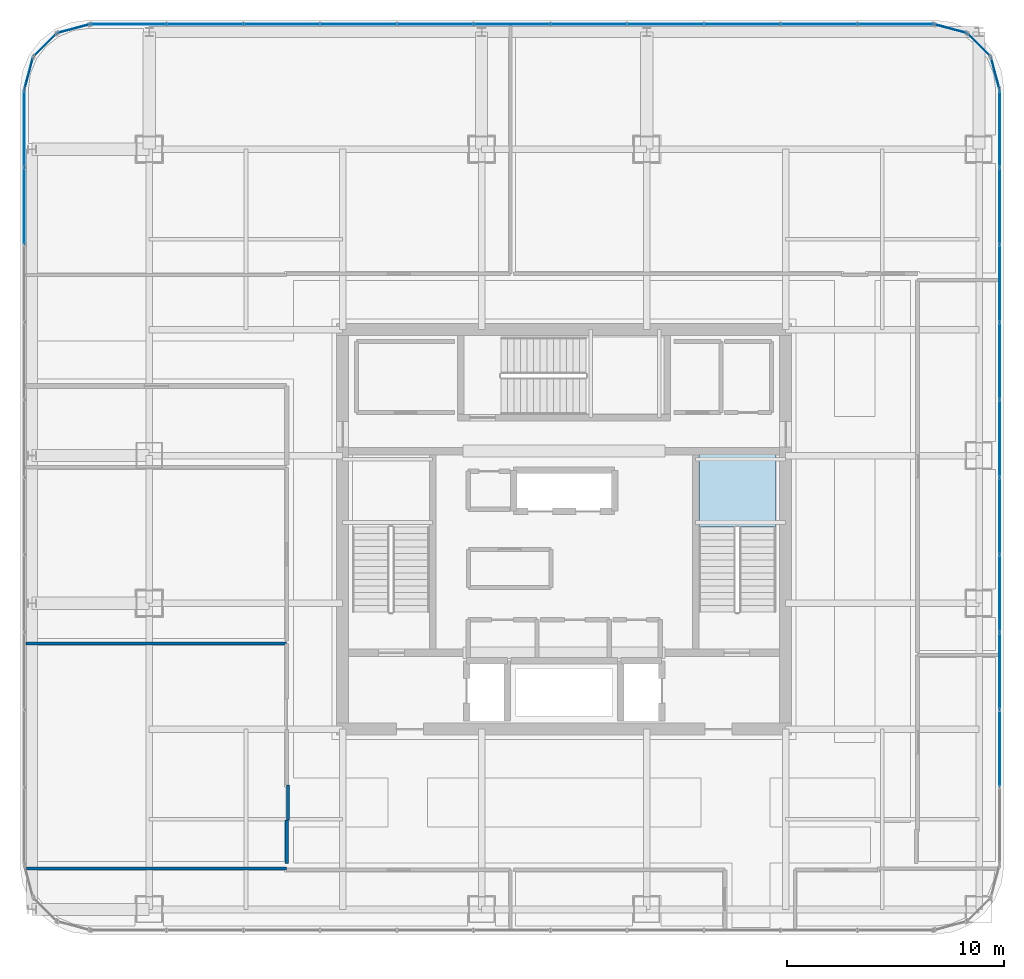
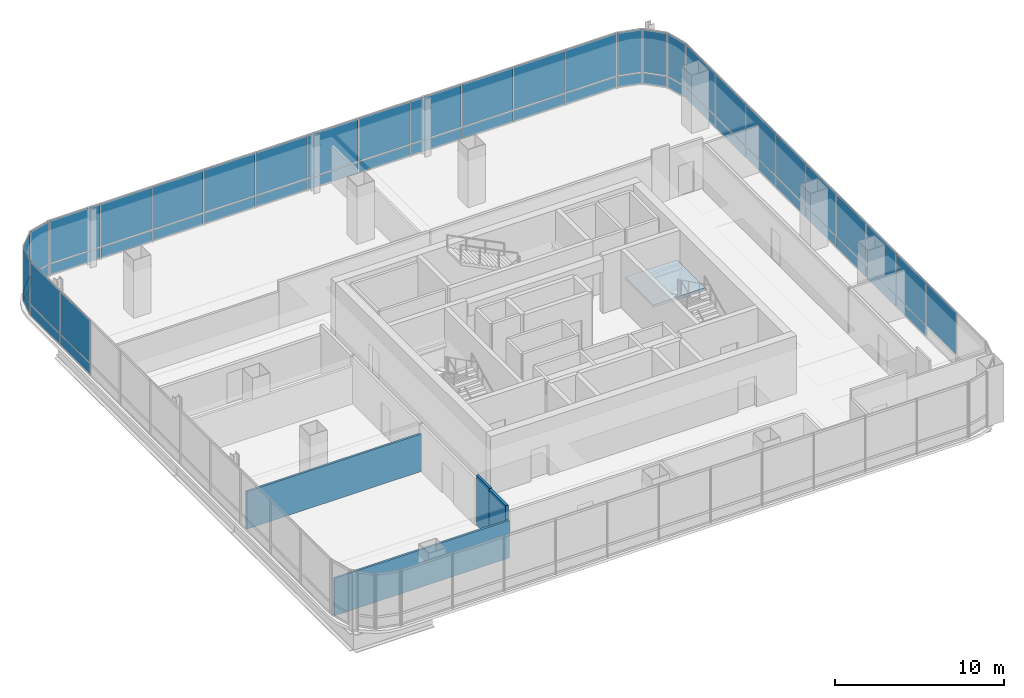
# One storey, part 33 of 41: 55 plates, 4 walls, 1 slab, 10 elements without a shape of their own.
"""IFC4 building model written with IfcOpenShell, lengths in metres."""

from ifc_helpers import new_model, si_unit, direction, frame, frame_2d, origin, origin_2d, place, context, subcontext, project, spatial, polyline, rectangle, outline, extrude, material, layer, layer_set, type_object, element, aggregate, save


model = new_model("IFC4")

# Units and contexts
model_context = context("Model", 3, precision=1e-05, world=origin(), true_north=direction((0.0, 1.0)))
body_context = subcontext(model_context, "Body", "Model", "MODEL_VIEW")
ifc_project = project(units=[si_unit("LENGTHUNIT", "METRE"), si_unit("AREAUNIT", "SQUARE_METRE"), si_unit("VOLUMEUNIT", "CUBIC_METRE"), si_unit("PLANEANGLEUNIT", "RADIAN"), si_unit("MASSUNIT", "GRAM", prefix="KILO")], contexts=[model_context])

# Site, building, storey
site_placement = place(None, origin())
site = spatial("IfcSite", under=ifc_project, at=site_placement, CompositionType="ELEMENT")
building_placement = place(site_placement, origin())
building = spatial("IfcBuilding", under=site, at=building_placement, Name="Punatoya Terracotta Tower", CompositionType="ELEMENT")
storey_placement = place(building_placement, frame((0.0, 0.0, 309.0)))
storey = spatial("IfcBuildingStorey", under=building, at=storey_placement, Name="L73", CompositionType="ELEMENT", Elevation=309.0)

# Curtain wall, plates
ifc_material_1 = material(Name="Aluminium 6063-T6 + Double Low-E Glass", Category="aluminium")
curtain_wall_type = type_object("IfcCurtainWallType", Name="CW-M3", PredefinedType="NOTDEFINED", material=ifc_material_1)
curtain_wall_1_placement = place(storey_placement, origin())
curtain_wall_1 = element("IfcCurtainWall", 1, at=curtain_wall_1_placement, inside=storey, type_object=curtain_wall_type, Name="L73 Curtain Wall CW-L73-E05-1", PredefinedType="NOTDEFINED")
ifc_material_2 = material(Name="Double Low-E Acoustic Vision Glass", Category="glass")
ifc_layer_1 = layer(ifc_material_2, 0.031982421875)
ifc_layer_set_1 = layer_set([ifc_layer_1], Name="Double Low-E Acoustic Vision Glass")
plate_type_1 = type_object("IfcPlateType", Name="PLT-GLZ-32", PredefinedType="CURTAIN_PANEL", material=ifc_layer_set_1)
plate_1_placement = place(storey_placement, frame((20.050048828125, -10.085693359375, 0.89013671875), z_axis=(0.0, 0.0, 1.0), x_axis=(0.0, 1.0, 0.0)))
plate_1 = element("IfcPlate", 2, at=plate_1_placement, type_object=plate_type_1, Name="CW-L73-E05-1 Vision Glass Panel 2", PredefinedType="CURTAIN_PANEL", context=body_context, shape_type="SweptSolid", body=[
    extrude(rectangle(XDim=3.482421875, YDim=0.031982421875, at=origin_2d()), origin(), (0.0, 0.0, 1.0), 3.070068359375),
])
plate_2_placement = place(storey_placement, frame((20.050048828125, -6.518310546875, 0.89013671875), z_axis=(0.0, 0.0, 1.0), x_axis=(0.0, 1.0, 0.0)))
plate_2 = element("IfcPlate", 3, at=plate_2_placement, type_object=plate_type_1, Name="CW-L73-E05-1 Vision Glass Panel 3", PredefinedType="CURTAIN_PANEL", context=body_context, shape_type="SweptSolid", body=[
    extrude(rectangle(XDim=3.482421875, YDim=0.031982421875, at=origin_2d()), origin(), (0.0, 0.0, 1.0), 3.070068359375),
])
plate_3_placement = place(storey_placement, frame((20.050048828125, -2.951171875, 0.89013671875), z_axis=(0.0, 0.0, 1.0), x_axis=(0.0, 1.0, 0.0)))
plate_3 = element("IfcPlate", 4, at=plate_3_placement, type_object=plate_type_1, Name="CW-L73-E05-1 Vision Glass Panel 4", PredefinedType="CURTAIN_PANEL", context=body_context, shape_type="SweptSolid", body=[
    extrude(rectangle(XDim=3.482421875, YDim=0.031982421875, at=origin_2d()), origin(), (0.0, 0.0, 1.0), 3.070068359375),
])
plate_4_placement = place(storey_placement, frame((20.050048828125, 0.6162109375, 0.89013671875), z_axis=(0.0, 0.0, 1.0), x_axis=(0.0, 1.0, 0.0)))
plate_4 = element("IfcPlate", 5, at=plate_4_placement, type_object=plate_type_1, Name="CW-L73-E05-1 Vision Glass Panel 5", PredefinedType="CURTAIN_PANEL", context=body_context, shape_type="SweptSolid", body=[
    extrude(rectangle(XDim=3.482421875, YDim=0.031982421875, at=origin_2d()), origin(), (0.0, 0.0, 1.0), 3.070068359375),
])
plate_5_placement = place(storey_placement, frame((20.050048828125, 4.18359375, 0.89013671875), z_axis=(0.0, 0.0, 1.0), x_axis=(0.0, 1.0, 0.0)))
plate_5 = element("IfcPlate", 6, at=plate_5_placement, type_object=plate_type_1, Name="CW-L73-E05-1 Vision Glass Panel 6", PredefinedType="CURTAIN_PANEL", context=body_context, shape_type="SweptSolid", body=[
    extrude(rectangle(XDim=3.482421875, YDim=0.031982421875, at=origin_2d()), origin(), (0.0, 0.0, 1.0), 3.070068359375),
])
plate_6_placement = place(storey_placement, frame((20.050048828125, 7.751220703125, 0.89013671875), z_axis=(0.0, 0.0, 1.0), x_axis=(0.0, 1.0, 0.0)))
plate_6 = element("IfcPlate", 7, at=plate_6_placement, type_object=plate_type_1, Name="CW-L73-E05-1 Vision Glass Panel 7", PredefinedType="CURTAIN_PANEL", context=body_context, shape_type="SweptSolid", body=[
    extrude(rectangle(XDim=3.482421875, YDim=0.031982421875, at=origin_2d()), origin(), (0.0, 0.0, 1.0), 3.070068359375),
])
plate_7_placement = place(storey_placement, frame((20.050048828125, 11.318359375, 0.89013671875), z_axis=(0.0, 0.0, 1.0), x_axis=(0.0, 1.0, 0.0)))
plate_7 = element("IfcPlate", 8, at=plate_7_placement, type_object=plate_type_1, Name="CW-L73-E05-1 Vision Glass Panel 8", PredefinedType="CURTAIN_PANEL", context=body_context, shape_type="SweptSolid", body=[
    extrude(rectangle(XDim=3.482421875, YDim=0.031982421875, at=origin_2d()), origin(), (0.0, 0.0, 1.0), 3.070068359375),
])
plate_8_placement = place(storey_placement, frame((20.050048828125, 14.8857421875, 0.89013671875), z_axis=(0.0, 0.0, 1.0), x_axis=(0.0, 1.0, 0.0)))
plate_8 = element("IfcPlate", 9, at=plate_8_placement, type_object=plate_type_1, Name="CW-L73-E05-1 Vision Glass Panel 9", PredefinedType="CURTAIN_PANEL", context=body_context, shape_type="SweptSolid", body=[
    extrude(rectangle(XDim=3.482421875, YDim=0.031982421875, at=origin_2d()), origin(), (0.0, 0.0, 1.0), 3.070068359375),
])
plate_9_placement = place(storey_placement, frame((20.050048828125, 18.453125, 0.89013671875), z_axis=(0.0, 0.0, 1.0), x_axis=(0.0, 1.0, 0.0)))
plate_9 = element("IfcPlate", 10, at=plate_9_placement, type_object=plate_type_1, Name="CW-L73-E05-1 Vision Glass Panel 10", PredefinedType="CURTAIN_PANEL", context=body_context, shape_type="SweptSolid", body=[
    extrude(rectangle(XDim=3.482421875, YDim=0.031982421875, at=origin_2d()), origin(), (0.0, 0.0, 1.0), 3.070068359375),
])

# Curtain wall, plate
curtain_wall_2_placement = place(storey_placement, origin())
curtain_wall_2 = element("IfcCurtainWall", 11, at=curtain_wall_2_placement, inside=storey, type_object=curtain_wall_type, Name="L73 Curtain Wall CW-L73-CRN06", PredefinedType="NOTDEFINED")
plate_10_placement = place(storey_placement, frame((19.848388671875, 20.992919921875, 0.89013671875), z_axis=(0.0, 0.0, 1.0), x_axis=(-0.257741620719, 0.966213877436, 0.0)))
plate_10 = element("IfcPlate", 12, at=plate_10_placement, type_object=plate_type_1, Name="CW-L73-CRN06 Vision Glass Panel 1", PredefinedType="CURTAIN_PANEL", context=body_context, shape_type="SweptSolid", body=[
    extrude(rectangle(XDim=1.47998046875, YDim=0.031982421875, at=origin_2d()), origin(), (0.0, 0.0, 1.0), 3.070068359375),
])

curtain_wall_3_placement = place(storey_placement, origin())
curtain_wall_3 = element("IfcCurtainWall", 13, at=curtain_wall_3_placement, inside=storey, type_object=curtain_wall_type, Name="L73 Curtain Wall CW-L73-CRN07", PredefinedType="NOTDEFINED")
plate_11_placement = place(storey_placement, frame((19.097900390625, 22.2978515625, 0.89013671875), z_axis=(0.0, 0.0, 1.0), x_axis=(-0.707106781187, 0.707106781187, 0.0)))
plate_11 = element("IfcPlate", 14, at=plate_11_placement, type_object=plate_type_1, Name="CW-L73-CRN07 Vision Glass Panel 1", PredefinedType="CURTAIN_PANEL", context=body_context, shape_type="SweptSolid", body=[
    extrude(rectangle(XDim=1.467041015625, YDim=0.031982421875, at=origin_2d()), origin(), (0.0, 0.0, 1.0), 3.070068359375),
])

curtain_wall_4_placement = place(storey_placement, origin())
curtain_wall_4 = element("IfcCurtainWall", 15, at=curtain_wall_4_placement, inside=storey, type_object=curtain_wall_type, Name="L73 Curtain Wall CW-L73-CRN08", PredefinedType="NOTDEFINED")
plate_12_placement = place(storey_placement, frame((17.79296875, 23.04833984375, 0.89013671875), z_axis=(0.0, 0.0, 1.0), x_axis=(-0.966213877436, 0.257741620719, 0.0)))
plate_12 = element("IfcPlate", 16, at=plate_12_placement, type_object=plate_type_1, Name="CW-L73-CRN08 Vision Glass Panel 1", PredefinedType="CURTAIN_PANEL", context=body_context, shape_type="SweptSolid", body=[
    extrude(rectangle(XDim=1.47998046875, YDim=0.031982421875, at=origin_2d()), origin(), (0.0, 0.0, 1.0), 3.070068359375),
])

# Curtain wall, plates
curtain_wall_5_placement = place(storey_placement, origin())
curtain_wall_5 = element("IfcCurtainWall", 17, at=curtain_wall_5_placement, inside=storey, type_object=curtain_wall_type, Name="L73 Curtain Wall CW-L73-N09-1", PredefinedType="NOTDEFINED")
plate_13_placement = place(storey_placement, frame((15.27001953125, 23.25, 0.89013671875), z_axis=(0.0, 0.0, 1.0), x_axis=(-1.0, 0.0, 0.0)))
plate_13 = element("IfcPlate", 18, at=plate_13_placement, type_object=plate_type_1, Name="CW-L73-N09-1 Vision Glass Panel 1", PredefinedType="CURTAIN_PANEL", context=body_context, shape_type="SweptSolid", body=[
    extrude(rectangle(XDim=3.448974609375, YDim=0.031982421875, at=origin_2d()), origin(), (0.0, 0.0, 1.0), 3.070068359375),
])
plate_14_placement = place(storey_placement, frame((11.73583984375, 23.25, 0.89013671875), z_axis=(0.0, 0.0, 1.0), x_axis=(-1.0, 0.0, 0.0)))
plate_14 = element("IfcPlate", 19, at=plate_14_placement, type_object=plate_type_1, Name="CW-L73-N09-1 Vision Glass Panel 2", PredefinedType="CURTAIN_PANEL", context=body_context, shape_type="SweptSolid", body=[
    extrude(rectangle(XDim=3.448974609375, YDim=0.031982421875, at=origin_2d()), origin(), (0.0, 0.0, 1.0), 3.070068359375),
])
plate_15_placement = place(storey_placement, frame((8.201904296875, 23.25, 0.89013671875), z_axis=(0.0, 0.0, 1.0), x_axis=(-1.0, 0.0, 0.0)))
plate_15 = element("IfcPlate", 20, at=plate_15_placement, type_object=plate_type_1, Name="CW-L73-N09-1 Vision Glass Panel 3", PredefinedType="CURTAIN_PANEL", context=body_context, shape_type="SweptSolid", body=[
    extrude(rectangle(XDim=3.448974609375, YDim=0.031982421875, at=origin_2d()), origin(), (0.0, 0.0, 1.0), 3.070068359375),
])
plate_16_placement = place(storey_placement, frame((4.66796875, 23.25, 0.89013671875), z_axis=(0.0, 0.0, 1.0), x_axis=(-1.0, 0.0, 0.0)))
plate_16 = element("IfcPlate", 21, at=plate_16_placement, type_object=plate_type_1, Name="CW-L73-N09-1 Vision Glass Panel 4", PredefinedType="CURTAIN_PANEL", context=body_context, shape_type="SweptSolid", body=[
    extrude(rectangle(XDim=3.448974609375, YDim=0.031982421875, at=origin_2d()), origin(), (0.0, 0.0, 1.0), 3.070068359375),
])
plate_17_placement = place(storey_placement, frame((1.134033203125, 23.25, 0.89013671875), z_axis=(0.0, 0.0, 1.0), x_axis=(-1.0, 0.0, 0.0)))
plate_17 = element("IfcPlate", 22, at=plate_17_placement, type_object=plate_type_1, Name="CW-L73-N09-1 Vision Glass Panel 5", PredefinedType="CURTAIN_PANEL", context=body_context, shape_type="SweptSolid", body=[
    extrude(rectangle(XDim=3.448974609375, YDim=0.031982421875, at=origin_2d()), origin(), (0.0, 0.0, 1.0), 3.070068359375),
])
plate_18_placement = place(storey_placement, frame((-2.39990234375, 23.25, 0.89013671875), z_axis=(0.0, 0.0, 1.0), x_axis=(-1.0, 0.0, 0.0)))
plate_18 = element("IfcPlate", 23, at=plate_18_placement, type_object=plate_type_1, Name="CW-L73-N09-1 Vision Glass Panel 6", PredefinedType="CURTAIN_PANEL", context=body_context, shape_type="SweptSolid", body=[
    extrude(rectangle(XDim=3.448974609375, YDim=0.031982421875, at=origin_2d()), origin(), (0.0, 0.0, 1.0), 3.070068359375),
])
plate_19_placement = place(storey_placement, frame((-5.93408203125, 23.25, 0.89013671875), z_axis=(0.0, 0.0, 1.0), x_axis=(-1.0, 0.0, 0.0)))
plate_19 = element("IfcPlate", 24, at=plate_19_placement, type_object=plate_type_1, Name="CW-L73-N09-1 Vision Glass Panel 7", PredefinedType="CURTAIN_PANEL", context=body_context, shape_type="SweptSolid", body=[
    extrude(rectangle(XDim=3.448974609375, YDim=0.031982421875, at=origin_2d()), origin(), (0.0, 0.0, 1.0), 3.070068359375),
])
plate_20_placement = place(storey_placement, frame((-9.468017578125, 23.25, 0.89013671875), z_axis=(0.0, 0.0, 1.0), x_axis=(-1.0, 0.0, 0.0)))
plate_20 = element("IfcPlate", 25, at=plate_20_placement, type_object=plate_type_1, Name="CW-L73-N09-1 Vision Glass Panel 8", PredefinedType="CURTAIN_PANEL", context=body_context, shape_type="SweptSolid", body=[
    extrude(rectangle(XDim=3.448974609375, YDim=0.031982421875, at=origin_2d()), origin(), (0.0, 0.0, 1.0), 3.070068359375),
])
plate_21_placement = place(storey_placement, frame((-13.001953125, 23.25, 0.89013671875), z_axis=(0.0, 0.0, 1.0), x_axis=(-1.0, 0.0, 0.0)))
plate_21 = element("IfcPlate", 26, at=plate_21_placement, type_object=plate_type_1, Name="CW-L73-N09-1 Vision Glass Panel 9", PredefinedType="CURTAIN_PANEL", context=body_context, shape_type="SweptSolid", body=[
    extrude(rectangle(XDim=3.448974609375, YDim=0.031982421875, at=origin_2d()), origin(), (0.0, 0.0, 1.0), 3.070068359375),
])
plate_22_placement = place(storey_placement, frame((-16.535888671875, 23.25, 0.89013671875), z_axis=(0.0, 0.0, 1.0), x_axis=(-1.0, 0.0, 0.0)))
plate_22 = element("IfcPlate", 27, at=plate_22_placement, type_object=plate_type_1, Name="CW-L73-N09-1 Vision Glass Panel 10", PredefinedType="CURTAIN_PANEL", context=body_context, shape_type="SweptSolid", body=[
    extrude(rectangle(XDim=3.448974609375, YDim=0.031982421875, at=origin_2d()), origin(), (0.0, 0.0, 1.0), 3.070068359375),
])
plate_23_placement = place(storey_placement, frame((-20.06982421875, 23.25, 0.89013671875), z_axis=(0.0, 0.0, 1.0), x_axis=(-1.0, 0.0, 0.0)))
plate_23 = element("IfcPlate", 28, at=plate_23_placement, type_object=plate_type_1, Name="CW-L73-N09-1 Vision Glass Panel 11", PredefinedType="CURTAIN_PANEL", context=body_context, shape_type="SweptSolid", body=[
    extrude(rectangle(XDim=3.448974609375, YDim=0.031982421875, at=origin_2d()), origin(), (0.0, 0.0, 1.0), 3.070068359375),
])

# Curtain wall, plate
curtain_wall_6_placement = place(storey_placement, origin())
curtain_wall_6 = element("IfcCurtainWall", 29, at=curtain_wall_6_placement, inside=storey, type_object=curtain_wall_type, Name="L73 Curtain Wall CW-L73-CRN10", PredefinedType="NOTDEFINED")
plate_24_placement = place(storey_placement, frame((-22.593017578125, 23.04833984375, 0.89013671875), z_axis=(0.0, 0.0, 1.0), x_axis=(-0.966213877436, -0.257741620719, 0.0)))
plate_24 = element("IfcPlate", 30, at=plate_24_placement, type_object=plate_type_1, Name="CW-L73-CRN10 Vision Glass Panel 1", PredefinedType="CURTAIN_PANEL", context=body_context, shape_type="SweptSolid", body=[
    extrude(rectangle(XDim=1.47998046875, YDim=0.031982421875, at=origin_2d()), origin(), (0.0, 0.0, 1.0), 3.070068359375),
])

curtain_wall_7_placement = place(storey_placement, origin())
curtain_wall_7 = element("IfcCurtainWall", 31, at=curtain_wall_7_placement, inside=storey, type_object=curtain_wall_type, Name="L73 Curtain Wall CW-L73-CRN11", PredefinedType="NOTDEFINED")
plate_25_placement = place(storey_placement, frame((-23.89794921875, 22.2978515625, 0.89013671875), z_axis=(0.0, 0.0, 1.0), x_axis=(-0.707106781187, -0.707106781187, 0.0)))
plate_25 = element("IfcPlate", 32, at=plate_25_placement, type_object=plate_type_1, Name="CW-L73-CRN11 Vision Glass Panel 1", PredefinedType="CURTAIN_PANEL", context=body_context, shape_type="SweptSolid", body=[
    extrude(rectangle(XDim=1.467041015625, YDim=0.031982421875, at=origin_2d()), origin(), (0.0, 0.0, 1.0), 3.070068359375),
])

curtain_wall_8_placement = place(storey_placement, origin())
curtain_wall_8 = element("IfcCurtainWall", 33, at=curtain_wall_8_placement, inside=storey, type_object=curtain_wall_type, Name="L73 Curtain Wall CW-L73-CRN12", PredefinedType="NOTDEFINED")
plate_26_placement = place(storey_placement, frame((-24.648193359375, 20.992919921875, 0.89013671875), z_axis=(0.0, 0.0, 1.0), x_axis=(-0.257741620719, -0.966213877436, 0.0)))
plate_26 = element("IfcPlate", 34, at=plate_26_placement, type_object=plate_type_1, Name="CW-L73-CRN12 Vision Glass Panel 1", PredefinedType="CURTAIN_PANEL", context=body_context, shape_type="SweptSolid", body=[
    extrude(rectangle(XDim=1.47998046875, YDim=0.031982421875, at=origin_2d()), origin(), (0.0, 0.0, 1.0), 3.070068359375),
])

# Curtain wall, plates
curtain_wall_9_placement = place(storey_placement, origin())
curtain_wall_9 = element("IfcCurtainWall", 35, at=curtain_wall_9_placement, inside=storey, type_object=curtain_wall_type, Name="L73 Curtain Wall CW-L73-W13-1", PredefinedType="NOTDEFINED")
plate_27_placement = place(storey_placement, frame((-24.85009765625, 18.453125, 0.89013671875), z_axis=(0.0, 0.0, 1.0), x_axis=(0.0, -1.0, 0.0)))
plate_27 = element("IfcPlate", 36, at=plate_27_placement, type_object=plate_type_1, Name="CW-L73-W13-1 Vision Glass Panel 1", PredefinedType="CURTAIN_PANEL", context=body_context, shape_type="SweptSolid", body=[
    extrude(rectangle(XDim=3.482421875, YDim=0.031982421875, at=origin_2d()), origin(), (0.0, 0.0, 1.0), 3.070068359375),
])
plate_28_placement = place(storey_placement, frame((-24.85009765625, 14.8857421875, 0.89013671875), z_axis=(0.0, 0.0, 1.0), x_axis=(0.0, -1.0, 0.0)))
plate_28 = element("IfcPlate", 37, at=plate_28_placement, type_object=plate_type_1, Name="CW-L73-W13-1 Vision Glass Panel 2", PredefinedType="CURTAIN_PANEL", context=body_context, shape_type="SweptSolid", body=[
    extrude(rectangle(XDim=3.482421875, YDim=0.031982421875, at=origin_2d()), origin(), (0.0, 0.0, 1.0), 3.070068359375),
])

# Plate
ifc_material_3 = material(Name="Insulated Terracotta-Backed Spandrel Panel", Category="masonry")
ifc_layer_2 = layer(ifc_material_3, 0.044921875)
ifc_layer_set_2 = layer_set([ifc_layer_2], Name="Insulated Terracotta-Backed Spandrel Panel")
plate_type_2 = type_object("IfcPlateType", Name="PLT-SPN-45", PredefinedType="CURTAIN_PANEL", material=ifc_layer_set_2)
plate_29_placement = place(storey_placement, frame((20.050048828125, -6.518310546875, 0.0400390625), z_axis=(0.0, 0.0, 1.0), x_axis=(0.0, 1.0, 0.0)))
plate_29 = element("IfcPlate", 38, at=plate_29_placement, type_object=plate_type_2, Name="CW-L73-E05-1 Terracotta Spandrel Panel 3", PredefinedType="CURTAIN_PANEL", context=body_context, shape_type="SweptSolid", body=[
    extrude(rectangle(XDim=3.482421875, YDim=0.044921875, at=origin_2d()), origin(), (0.0, 0.0, 1.0), 0.77490234375),
])

plate_30_placement = place(storey_placement, frame((20.050048828125, -2.951171875, 0.0400390625), z_axis=(0.0, 0.0, 1.0), x_axis=(0.0, 1.0, 0.0)))
plate_30 = element("IfcPlate", 39, at=plate_30_placement, type_object=plate_type_2, Name="CW-L73-E05-1 Terracotta Spandrel Panel 4", PredefinedType="CURTAIN_PANEL", context=body_context, shape_type="SweptSolid", body=[
    extrude(rectangle(XDim=3.482421875, YDim=0.044921875, at=origin_2d()), origin(), (0.0, 0.0, 1.0), 0.77490234375),
])

plate_31_placement = place(storey_placement, frame((20.050048828125, 0.6162109375, 0.0400390625), z_axis=(0.0, 0.0, 1.0), x_axis=(0.0, 1.0, 0.0)))
plate_31 = element("IfcPlate", 40, at=plate_31_placement, type_object=plate_type_2, Name="CW-L73-E05-1 Terracotta Spandrel Panel 5", PredefinedType="CURTAIN_PANEL", context=body_context, shape_type="SweptSolid", body=[
    extrude(rectangle(XDim=3.482421875, YDim=0.044921875, at=origin_2d()), origin(), (0.0, 0.0, 1.0), 0.77490234375),
])

plate_32_placement = place(storey_placement, frame((20.050048828125, 4.18359375, 0.0400390625), z_axis=(0.0, 0.0, 1.0), x_axis=(0.0, 1.0, 0.0)))
plate_32 = element("IfcPlate", 41, at=plate_32_placement, type_object=plate_type_2, Name="CW-L73-E05-1 Terracotta Spandrel Panel 6", PredefinedType="CURTAIN_PANEL", context=body_context, shape_type="SweptSolid", body=[
    extrude(rectangle(XDim=3.482421875, YDim=0.044921875, at=origin_2d()), origin(), (0.0, 0.0, 1.0), 0.77490234375),
])

plate_33_placement = place(storey_placement, frame((20.050048828125, 7.751220703125, 0.0400390625), z_axis=(0.0, 0.0, 1.0), x_axis=(0.0, 1.0, 0.0)))
plate_33 = element("IfcPlate", 42, at=plate_33_placement, type_object=plate_type_2, Name="CW-L73-E05-1 Terracotta Spandrel Panel 7", PredefinedType="CURTAIN_PANEL", context=body_context, shape_type="SweptSolid", body=[
    extrude(rectangle(XDim=3.482421875, YDim=0.044921875, at=origin_2d()), origin(), (0.0, 0.0, 1.0), 0.77490234375),
])

plate_34_placement = place(storey_placement, frame((20.050048828125, 11.318359375, 0.0400390625), z_axis=(0.0, 0.0, 1.0), x_axis=(0.0, 1.0, 0.0)))
plate_34 = element("IfcPlate", 43, at=plate_34_placement, type_object=plate_type_2, Name="CW-L73-E05-1 Terracotta Spandrel Panel 8", PredefinedType="CURTAIN_PANEL", context=body_context, shape_type="SweptSolid", body=[
    extrude(rectangle(XDim=3.482421875, YDim=0.044921875, at=origin_2d()), origin(), (0.0, 0.0, 1.0), 0.77490234375),
])

plate_35_placement = place(storey_placement, frame((20.050048828125, 14.8857421875, 0.0400390625), z_axis=(0.0, 0.0, 1.0), x_axis=(0.0, 1.0, 0.0)))
plate_35 = element("IfcPlate", 44, at=plate_35_placement, type_object=plate_type_2, Name="CW-L73-E05-1 Terracotta Spandrel Panel 9", PredefinedType="CURTAIN_PANEL", context=body_context, shape_type="SweptSolid", body=[
    extrude(rectangle(XDim=3.482421875, YDim=0.044921875, at=origin_2d()), origin(), (0.0, 0.0, 1.0), 0.77490234375),
])

plate_36_placement = place(storey_placement, frame((20.050048828125, 18.453125, 0.0400390625), z_axis=(0.0, 0.0, 1.0), x_axis=(0.0, 1.0, 0.0)))
plate_36 = element("IfcPlate", 45, at=plate_36_placement, type_object=plate_type_2, Name="CW-L73-E05-1 Terracotta Spandrel Panel 10", PredefinedType="CURTAIN_PANEL", context=body_context, shape_type="SweptSolid", body=[
    extrude(rectangle(XDim=3.482421875, YDim=0.044921875, at=origin_2d()), origin(), (0.0, 0.0, 1.0), 0.77490234375),
])

aggregate(curtain_wall_1, [plate_1, plate_29, plate_2, plate_30, plate_3, plate_31, plate_4, plate_32, plate_5, plate_33, plate_6, plate_34, plate_7, plate_35, plate_8, plate_36, plate_9])

plate_37_placement = place(storey_placement, frame((19.848388671875, 20.992919921875, 0.0400390625), z_axis=(0.0, 0.0, 1.0), x_axis=(-0.257741620719, 0.966213877436, 0.0)))
plate_37 = element("IfcPlate", 46, at=plate_37_placement, type_object=plate_type_2, Name="CW-L73-CRN06 Terracotta Spandrel Panel 1", PredefinedType="CURTAIN_PANEL", context=body_context, shape_type="SweptSolid", body=[
    extrude(rectangle(XDim=1.47998046875, YDim=0.044921875, at=origin_2d()), origin(), (0.0, 0.0, 1.0), 0.77490234375),
])

aggregate(curtain_wall_2, [plate_37, plate_10])

plate_38_placement = place(storey_placement, frame((19.097900390625, 22.2978515625, 0.0400390625), z_axis=(0.0, 0.0, 1.0), x_axis=(-0.707106781187, 0.707106781187, 0.0)))
plate_38 = element("IfcPlate", 47, at=plate_38_placement, type_object=plate_type_2, Name="CW-L73-CRN07 Terracotta Spandrel Panel 1", PredefinedType="CURTAIN_PANEL", context=body_context, shape_type="SweptSolid", body=[
    extrude(rectangle(XDim=1.467041015625, YDim=0.044921875, at=origin_2d()), origin(), (0.0, 0.0, 1.0), 0.77490234375),
])

aggregate(curtain_wall_3, [plate_38, plate_11])

plate_39_placement = place(storey_placement, frame((17.79296875, 23.04833984375, 0.0400390625), z_axis=(0.0, 0.0, 1.0), x_axis=(-0.966213877436, 0.257741620719, 0.0)))
plate_39 = element("IfcPlate", 48, at=plate_39_placement, type_object=plate_type_2, Name="CW-L73-CRN08 Terracotta Spandrel Panel 1", PredefinedType="CURTAIN_PANEL", context=body_context, shape_type="SweptSolid", body=[
    extrude(rectangle(XDim=1.47998046875, YDim=0.044921875, at=origin_2d()), origin(), (0.0, 0.0, 1.0), 0.77490234375),
])

aggregate(curtain_wall_4, [plate_39, plate_12])

plate_40_placement = place(storey_placement, frame((15.27001953125, 23.25, 0.0400390625), z_axis=(0.0, 0.0, 1.0), x_axis=(-1.0, 0.0, 0.0)))
plate_40 = element("IfcPlate", 49, at=plate_40_placement, type_object=plate_type_2, Name="CW-L73-N09-1 Terracotta Spandrel Panel 1", PredefinedType="CURTAIN_PANEL", context=body_context, shape_type="SweptSolid", body=[
    extrude(rectangle(XDim=3.448974609375, YDim=0.044921875, at=origin_2d()), origin(), (0.0, 0.0, 1.0), 0.77490234375),
])

plate_41_placement = place(storey_placement, frame((11.73583984375, 23.25, 0.0400390625), z_axis=(0.0, 0.0, 1.0), x_axis=(-1.0, 0.0, 0.0)))
plate_41 = element("IfcPlate", 50, at=plate_41_placement, type_object=plate_type_2, Name="CW-L73-N09-1 Terracotta Spandrel Panel 2", PredefinedType="CURTAIN_PANEL", context=body_context, shape_type="SweptSolid", body=[
    extrude(rectangle(XDim=3.448974609375, YDim=0.044921875, at=origin_2d()), origin(), (0.0, 0.0, 1.0), 0.77490234375),
])

plate_42_placement = place(storey_placement, frame((8.201904296875, 23.25, 0.0400390625), z_axis=(0.0, 0.0, 1.0), x_axis=(-1.0, 0.0, 0.0)))
plate_42 = element("IfcPlate", 51, at=plate_42_placement, type_object=plate_type_2, Name="CW-L73-N09-1 Terracotta Spandrel Panel 3", PredefinedType="CURTAIN_PANEL", context=body_context, shape_type="SweptSolid", body=[
    extrude(rectangle(XDim=3.448974609375, YDim=0.044921875, at=origin_2d()), origin(), (0.0, 0.0, 1.0), 0.77490234375),
])

plate_43_placement = place(storey_placement, frame((4.66796875, 23.25, 0.0400390625), z_axis=(0.0, 0.0, 1.0), x_axis=(-1.0, 0.0, 0.0)))
plate_43 = element("IfcPlate", 52, at=plate_43_placement, type_object=plate_type_2, Name="CW-L73-N09-1 Terracotta Spandrel Panel 4", PredefinedType="CURTAIN_PANEL", context=body_context, shape_type="SweptSolid", body=[
    extrude(rectangle(XDim=3.448974609375, YDim=0.044921875, at=origin_2d()), origin(), (0.0, 0.0, 1.0), 0.77490234375),
])

plate_44_placement = place(storey_placement, frame((1.134033203125, 23.25, 0.0400390625), z_axis=(0.0, 0.0, 1.0), x_axis=(-1.0, 0.0, 0.0)))
plate_44 = element("IfcPlate", 53, at=plate_44_placement, type_object=plate_type_2, Name="CW-L73-N09-1 Terracotta Spandrel Panel 5", PredefinedType="CURTAIN_PANEL", context=body_context, shape_type="SweptSolid", body=[
    extrude(rectangle(XDim=3.448974609375, YDim=0.044921875, at=origin_2d()), origin(), (0.0, 0.0, 1.0), 0.77490234375),
])

plate_45_placement = place(storey_placement, frame((-2.39990234375, 23.25, 0.0400390625), z_axis=(0.0, 0.0, 1.0), x_axis=(-1.0, 0.0, 0.0)))
plate_45 = element("IfcPlate", 54, at=plate_45_placement, type_object=plate_type_2, Name="CW-L73-N09-1 Terracotta Spandrel Panel 6", PredefinedType="CURTAIN_PANEL", context=body_context, shape_type="SweptSolid", body=[
    extrude(rectangle(XDim=3.448974609375, YDim=0.044921875, at=origin_2d()), origin(), (0.0, 0.0, 1.0), 0.77490234375),
])

plate_46_placement = place(storey_placement, frame((-5.93408203125, 23.25, 0.0400390625), z_axis=(0.0, 0.0, 1.0), x_axis=(-1.0, 0.0, 0.0)))
plate_46 = element("IfcPlate", 55, at=plate_46_placement, type_object=plate_type_2, Name="CW-L73-N09-1 Terracotta Spandrel Panel 7", PredefinedType="CURTAIN_PANEL", context=body_context, shape_type="SweptSolid", body=[
    extrude(rectangle(XDim=3.448974609375, YDim=0.044921875, at=origin_2d()), origin(), (0.0, 0.0, 1.0), 0.77490234375),
])

plate_47_placement = place(storey_placement, frame((-9.468017578125, 23.25, 0.0400390625), z_axis=(0.0, 0.0, 1.0), x_axis=(-1.0, 0.0, 0.0)))
plate_47 = element("IfcPlate", 56, at=plate_47_placement, type_object=plate_type_2, Name="CW-L73-N09-1 Terracotta Spandrel Panel 8", PredefinedType="CURTAIN_PANEL", context=body_context, shape_type="SweptSolid", body=[
    extrude(rectangle(XDim=3.448974609375, YDim=0.044921875, at=origin_2d()), origin(), (0.0, 0.0, 1.0), 0.77490234375),
])

plate_48_placement = place(storey_placement, frame((-13.001953125, 23.25, 0.0400390625), z_axis=(0.0, 0.0, 1.0), x_axis=(-1.0, 0.0, 0.0)))
plate_48 = element("IfcPlate", 57, at=plate_48_placement, type_object=plate_type_2, Name="CW-L73-N09-1 Terracotta Spandrel Panel 9", PredefinedType="CURTAIN_PANEL", context=body_context, shape_type="SweptSolid", body=[
    extrude(rectangle(XDim=3.448974609375, YDim=0.044921875, at=origin_2d()), origin(), (0.0, 0.0, 1.0), 0.77490234375),
])

plate_49_placement = place(storey_placement, frame((-16.535888671875, 23.25, 0.0400390625), z_axis=(0.0, 0.0, 1.0), x_axis=(-1.0, 0.0, 0.0)))
plate_49 = element("IfcPlate", 58, at=plate_49_placement, type_object=plate_type_2, Name="CW-L73-N09-1 Terracotta Spandrel Panel 10", PredefinedType="CURTAIN_PANEL", context=body_context, shape_type="SweptSolid", body=[
    extrude(rectangle(XDim=3.448974609375, YDim=0.044921875, at=origin_2d()), origin(), (0.0, 0.0, 1.0), 0.77490234375),
])

plate_50_placement = place(storey_placement, frame((-20.06982421875, 23.25, 0.0400390625), z_axis=(0.0, 0.0, 1.0), x_axis=(-1.0, 0.0, 0.0)))
plate_50 = element("IfcPlate", 59, at=plate_50_placement, type_object=plate_type_2, Name="CW-L73-N09-1 Terracotta Spandrel Panel 11", PredefinedType="CURTAIN_PANEL", context=body_context, shape_type="SweptSolid", body=[
    extrude(rectangle(XDim=3.448974609375, YDim=0.044921875, at=origin_2d()), origin(), (0.0, 0.0, 1.0), 0.77490234375),
])

aggregate(curtain_wall_5, [plate_40, plate_13, plate_41, plate_14, plate_42, plate_15, plate_43, plate_16, plate_44, plate_17, plate_45, plate_18, plate_46, plate_19, plate_47, plate_20, plate_48, plate_21, plate_49, plate_22, plate_50, plate_23])

plate_51_placement = place(storey_placement, frame((-22.593017578125, 23.04833984375, 0.0400390625), z_axis=(0.0, 0.0, 1.0), x_axis=(-0.966213877436, -0.257741620719, 0.0)))
plate_51 = element("IfcPlate", 60, at=plate_51_placement, type_object=plate_type_2, Name="CW-L73-CRN10 Terracotta Spandrel Panel 1", PredefinedType="CURTAIN_PANEL", context=body_context, shape_type="SweptSolid", body=[
    extrude(rectangle(XDim=1.47998046875, YDim=0.044921875, at=origin_2d()), origin(), (0.0, 0.0, 1.0), 0.77490234375),
])

aggregate(curtain_wall_6, [plate_51, plate_24])

plate_52_placement = place(storey_placement, frame((-23.89794921875, 22.2978515625, 0.0400390625), z_axis=(0.0, 0.0, 1.0), x_axis=(-0.707106781187, -0.707106781187, 0.0)))
plate_52 = element("IfcPlate", 61, at=plate_52_placement, type_object=plate_type_2, Name="CW-L73-CRN11 Terracotta Spandrel Panel 1", PredefinedType="CURTAIN_PANEL", context=body_context, shape_type="SweptSolid", body=[
    extrude(rectangle(XDim=1.467041015625, YDim=0.044921875, at=origin_2d()), origin(), (0.0, 0.0, 1.0), 0.77490234375),
])

aggregate(curtain_wall_7, [plate_52, plate_25])

plate_53_placement = place(storey_placement, frame((-24.648193359375, 20.992919921875, 0.0400390625), z_axis=(0.0, 0.0, 1.0), x_axis=(-0.257741620719, -0.966213877436, 0.0)))
plate_53 = element("IfcPlate", 62, at=plate_53_placement, type_object=plate_type_2, Name="CW-L73-CRN12 Terracotta Spandrel Panel 1", PredefinedType="CURTAIN_PANEL", context=body_context, shape_type="SweptSolid", body=[
    extrude(rectangle(XDim=1.47998046875, YDim=0.044921875, at=origin_2d()), origin(), (0.0, 0.0, 1.0), 0.77490234375),
])

aggregate(curtain_wall_8, [plate_53, plate_26])

plate_54_placement = place(storey_placement, frame((-24.85009765625, 18.453125, 0.0400390625), z_axis=(0.0, 0.0, 1.0), x_axis=(0.0, -1.0, 0.0)))
plate_54 = element("IfcPlate", 63, at=plate_54_placement, type_object=plate_type_2, Name="CW-L73-W13-1 Terracotta Spandrel Panel 1", PredefinedType="CURTAIN_PANEL", context=body_context, shape_type="SweptSolid", body=[
    extrude(rectangle(XDim=3.482421875, YDim=0.044921875, at=origin_2d()), origin(), (0.0, 0.0, 1.0), 0.77490234375),
])

plate_55_placement = place(storey_placement, frame((-24.85009765625, 14.8857421875, 0.0400390625), z_axis=(0.0, 0.0, 1.0), x_axis=(0.0, -1.0, 0.0)))
plate_55 = element("IfcPlate", 64, at=plate_55_placement, type_object=plate_type_2, Name="CW-L73-W13-1 Terracotta Spandrel Panel 2", PredefinedType="CURTAIN_PANEL", context=body_context, shape_type="SweptSolid", body=[
    extrude(rectangle(XDim=3.482421875, YDim=0.044921875, at=origin_2d()), origin(), (0.0, 0.0, 1.0), 0.77490234375),
])

aggregate(curtain_wall_9, [plate_54, plate_27, plate_55, plate_28])

# Stair, slab
ifc_material_4 = material(Name="Concrete C40/50", Category="concrete")
stair_type = type_object("IfcStairType", Name="STR-LOB-1650", PredefinedType="HALF_TURN_STAIR", material=ifc_material_4)
stair_placement = place(storey_placement, origin())
stair = element("IfcStair", 65, at=stair_placement, inside=storey, type_object=stair_type, Name="L73 Protected Core Exit Stair ST-2", PredefinedType="HALF_TURN_STAIR")
ifc_layer_3 = layer(ifc_material_4, 0.179931640625)
ifc_layer_set_3 = layer_set([ifc_layer_3], Name="Concrete C40/50")
slab_type = type_object("IfcSlabType", Name="SLB-LND-180", PredefinedType="LANDING", material=ifc_layer_set_3)
slab_placement = place(storey_placement, frame((0.0, 0.0, 1.89990234375)))
slab = element("IfcSlab", 66, at=slab_placement, type_object=slab_type, Name="ST-2 landing 1", PredefinedType="LANDING", context=body_context, shape_type="SweptSolid", body=[
    extrude(outline(polyline([(9.75, 0.10009765625), (9.75, 3.449951171875), (6.199951171875, 3.449951171875), (6.199951171875, 0.10009765625), (9.75, 0.10009765625)])), origin(), (0.0, 0.0, 1.0), 0.2001953125),
])
aggregate(stair, [slab])

# Walls
ifc_material_5 = material(Name="Gypsum Fireboard + Steel Stud", Category="steel")
ifc_layer_4 = layer(ifc_material_5, 0.179931640625)
ifc_layer_set_4 = layer_set([ifc_layer_4], Name="Gypsum Fireboard + Steel Stud")
wall_type_1 = type_object("IfcWallType", Name="WL-CORR-180", PredefinedType="PARTITIONING", material=ifc_layer_set_4)
wall_1_placement = place(storey_placement, frame((-12.77001953125, -13.3798828125, 0.0), z_axis=(0.0, 0.0, 1.0), x_axis=(0.0, -1.0, 0.0)))
element("IfcWall", 67, at=wall_1_placement, inside=storey, type_object=wall_type_1, Name="L73 Technical Seminar Room Partition 38", PredefinedType="PARTITIONING", context=body_context, shape_type="SweptSolid", body=[
    extrude(rectangle(XDim=2.010009765625, YDim=0.179931640625, at=frame_2d((1.0048828125, 0.0))), origin(), (0.0, 0.0, 1.0), 3.634033203125),
])
ifc_material_6 = material(Name="Acoustic Gypsum + Steel Stud", Category="steel")
ifc_layer_5 = layer(ifc_material_6, 0.139892578125)
ifc_layer_set_5 = layer_set([ifc_layer_5], Name="Acoustic Gypsum + Steel Stud")
wall_type_2 = type_object("IfcWallType", Name="WL-OFF-140", PredefinedType="PARTITIONING", material=ifc_layer_set_5)
wall_2_placement = place(storey_placement, frame((-24.74658203125, -15.610107421875, 0.0), z_axis=(0.0, 0.0, 1.0), x_axis=(1.0, 0.0, 0.0)))
element("IfcWall", 68, at=wall_2_placement, inside=storey, type_object=wall_type_2, Name="L73 Open-Plan Computational Simulation Laboratory Partition 24", PredefinedType="PARTITIONING", context=body_context, shape_type="SweptSolid", body=[
    extrude(rectangle(XDim=11.9765625, YDim=0.139892578125, at=frame_2d((5.98828125, 0.0))), origin(), (0.0, 0.0, 1.0), 2.714111328125),
])
wall_3_placement = place(storey_placement, frame((-24.77001953125, -5.25, 0.0), z_axis=(0.0, 0.0, 1.0), x_axis=(1.0, 0.0, 0.0)))
element("IfcWall", 69, at=wall_3_placement, inside=storey, type_object=wall_type_2, Name="L73 Technical Seminar Room Partition 35", PredefinedType="PARTITIONING", context=body_context, shape_type="SweptSolid", body=[
    extrude(rectangle(XDim=12.0, YDim=0.139892578125, at=frame_2d((6.0, 0.0))), origin(), (0.0, 0.0, 1.0), 2.714111328125),
])
wall_4_placement = place(storey_placement, frame((-12.7099609375, -11.77001953125, 0.0), z_axis=(0.0, 0.0, 1.0), x_axis=(0.0, -1.0, 0.0)))
element("IfcWall", 70, at=wall_4_placement, inside=storey, type_object=wall_type_2, Name="L73 Technical Seminar Room Partition 37", PredefinedType="PARTITIONING", context=body_context, shape_type="SweptSolid", body=[
    extrude(rectangle(XDim=1.60986328125, YDim=0.139892578125, at=frame_2d((0.804931640625, 0.0))), origin(), (0.0, 0.0, 1.0), 3.634033203125),
])

save(model, "model.ifc")
